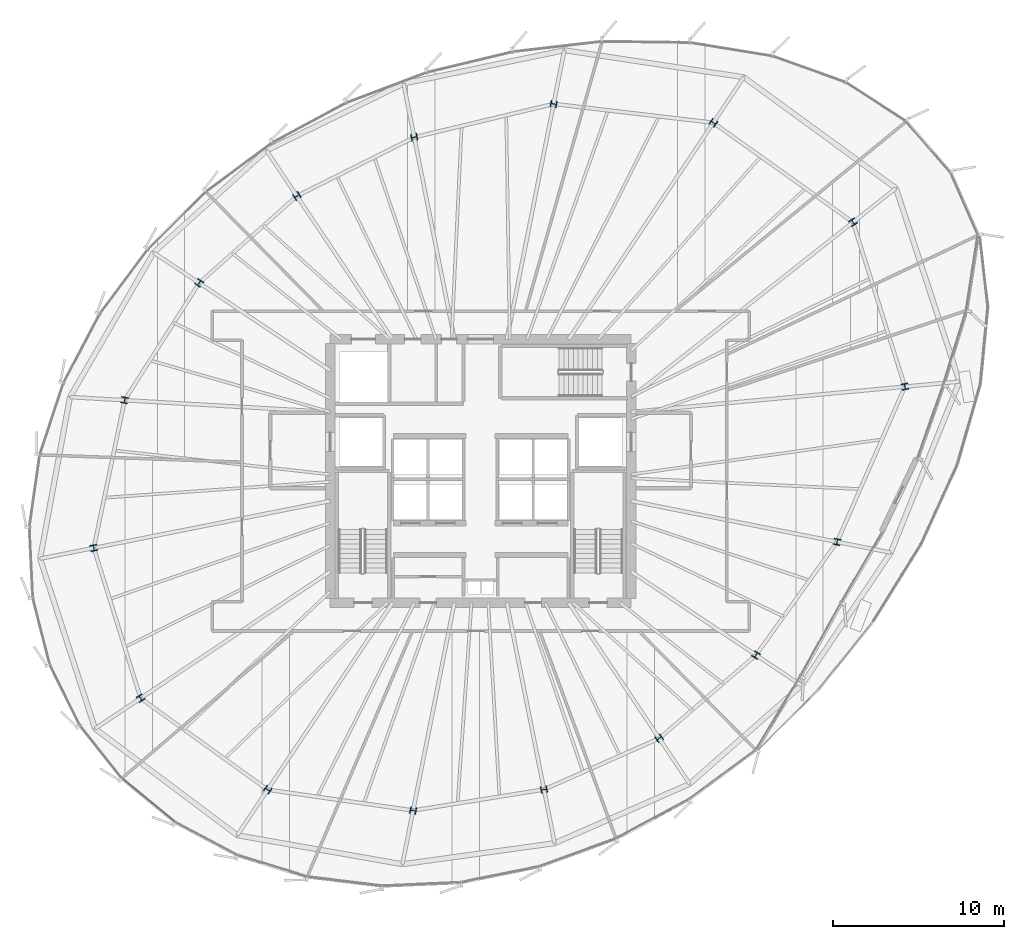
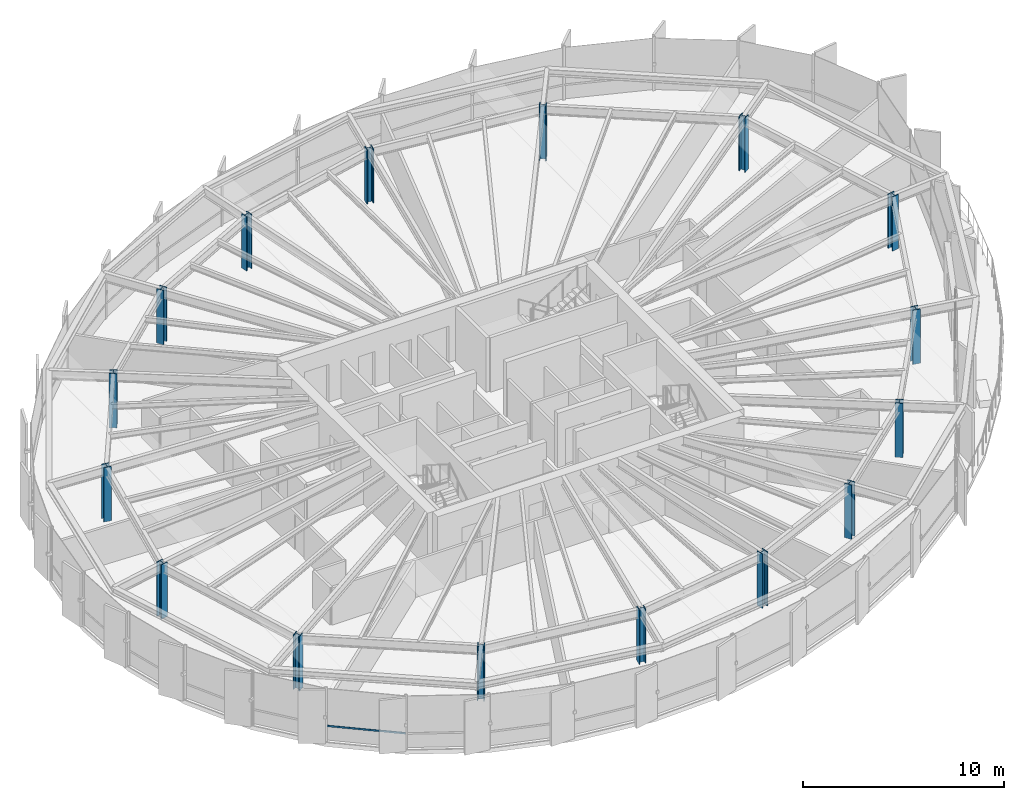
# One storey, part 1 of 36: 16 columns, 1 member, 1 element without a shape of its own.
"""IFC4 building model written with IfcOpenShell, lengths in metres."""

from ifc_helpers import new_model, si_unit, direction, frame, origin, origin_2d, place, context, subcontext, project, spatial, hollow_rectangle, i_section, extrude, source, transform, mapped, material, layer, layer_set, material_profile, profile_set, type_object, element, aggregate, save


model = new_model("IFC4")

# Units and contexts
model_context = context("Model", 3, precision=1e-05, world=origin(), true_north=direction((0.0, 1.0)))
body_context = subcontext(model_context, "Body", "Model", "MODEL_VIEW")
ifc_project = project(units=[si_unit("LENGTHUNIT", "METRE"), si_unit("AREAUNIT", "SQUARE_METRE"), si_unit("VOLUMEUNIT", "CUBIC_METRE"), si_unit("PLANEANGLEUNIT", "RADIAN"), si_unit("MASSUNIT", "GRAM", prefix="KILO"), si_unit("THERMODYNAMICTEMPERATUREUNIT", "KELVIN")], contexts=[model_context])

# Site, building, storey
site_placement = place(None, origin())
site = spatial("IfcSite", under=ifc_project, at=site_placement, CompositionType="ELEMENT")
building_placement = place(site_placement, origin())
building = spatial("IfcBuilding", under=site, at=building_placement, Name="Kethvar Cultural Tower", CompositionType="ELEMENT")
storey_placement = place(building_placement, frame((0.0, 0.0, 164.300048828125)))
storey = spatial("IfcBuildingStorey", under=building, at=storey_placement, Name="L42", CompositionType="ELEMENT", Elevation=164.300048828125)

# Columns
ifc_material_1 = material(Name="Steel S460M", Category="steel")
ifc_material_profile_1 = material_profile(ifc_material_1, i_section(OverallWidth=0.39697265625, OverallDepth=0.364990234375, WebThickness=0.028076171875, FlangeThickness=0.0439453125, FilletRadius=0.014892578125, at=origin_2d()), Name="Steel S460M — HD400x592")
ifc_profile_set_1 = profile_set([ifc_material_profile_1], Name="Steel S460M — HD400x592")
column_type = type_object("IfcColumnType", Name="COL-HD592", PredefinedType="COLUMN", material=ifc_profile_set_1)
shared_shape_1 = source(origin(), body_context, "Body", "SweptSolid", [
    extrude(i_section(OverallWidth=0.39697265625, OverallDepth=0.364990234375, WebThickness=0.028076171875, FlangeThickness=0.0439453125, FilletRadius=0.014892578125, at=origin_2d()), origin(), (0.0, 0.0, 1.0), 3.300048828125),
])
for number, where, z_axis, x_axis, name in (
    (1, (71.6025390625, 32.7333984375, 0.0), (0.0, 0.0, 1.0), (0.980785280403, 0.195090322016, 0.0), "L42 Mega-Column MC-01"),
    (2, (68.568603515625, 42.34521484375, 0.0), (0.0, 0.0, 1.0), (0.831469612303, 0.55557023302, 0.0), "L42 Mega-Column MC-02"),
    (3, (60.40478515625, 48.160888671875, 0.0), (0.0, 0.0, 1.0), (0.55557023302, 0.831469612303, 0.0), "L42 Mega-Column MC-03"),
    (4, (51.068603515625, 49.25927734375, 0.0), (0.0, 0.0, 1.0), (0.195090322016, 0.980785280403, 0.0), "L42 Mega-Column MC-04"),
    (5, (42.9189453125, 47.311279296875, 0.0), (0.0, 0.0, 1.0), (-0.195090322016, 0.980785280403, 0.0), "L42 Mega-Column MC-05"),
    (6, (36.0576171875, 43.877197265625, 0.0), (0.0, 0.0, 1.0), (-0.55557023302, 0.831469612303, 0.0), "L42 Mega-Column MC-06"),
    (7, (30.345947265625, 38.794189453125, 0.0), (0.0, 0.0, 1.0), (-0.831469612303, 0.55557023302, 0.0), "L42 Mega-Column MC-07"),
    (8, (25.988525390625, 31.939697265625, 0.0), (0.0, 0.0, 1.0), (-0.980785280403, 0.195090322016, 0.0), "L42 Mega-Column MC-08"),
    (9, (24.185302734375, 23.3017578125, 0.0), (0.0, 0.0, 1.0), (-0.980785280403, -0.195090322016, 0.0), "L42 Mega-Column MC-09"),
    (10, (26.920654296875, 14.51708984375, 0.0), (0.0, 0.0, 1.0), (-0.831469612303, -0.55557023302, 0.0), "L42 Mega-Column MC-10"),
    (11, (34.350830078125, 9.16845703125, 0.0), (0.0, 0.0, 1.0), (-0.55557023302, -0.831469612303, 0.0), "L42 Mega-Column MC-11"),
    (12, (42.852294921875, 7.95361328125, 0.0), (0.0, 0.0, 1.0), (-0.195090322016, -0.980785280403, 0.0), "L42 Mega-Column MC-12"),
    (13, (50.50341796875, 9.182373046875, 0.0), (0.0, 0.0, 1.0), (0.195090322016, -0.980785280403, 0.0), "L42 Mega-Column MC-13"),
    (14, (57.241943359375, 12.17236328125, 0.0), (0.0, 0.0, 1.0), (0.55557023302, -0.831469612303, 0.0), "L42 Mega-Column MC-14"),
    (15, (62.898681640625, 17.043212890625, 0.0), (0.0, 0.0, 1.0), (0.831469612303, -0.55557023302, 0.0), "L42 Mega-Column MC-15"),
    (16, (67.638671875, 23.65478515625, 0.0), (0.0, 0.0, 1.0), (0.980785280403, -0.195090322016, 0.0), "L42 Mega-Column MC-16"),
):
    element("IfcColumn", number, at=place(storey_placement, frame(where, z_axis=z_axis, x_axis=x_axis)), inside=storey, type_object=column_type, Name=name, PredefinedType="COLUMN", context=body_context, shape_type="MappedRepresentation", body=[
        mapped(shared_shape_1, transform((0.0, 0.0, 0.0), scale=1.0)),
    ])

# Curtain wall, member
ifc_material_2 = material(Name="Aluminium 6063-T6", Category="aluminium")
ifc_layer = layer(ifc_material_2, 0.179931640625, Name="Aluminium 6063-T6", Category="aluminium")
ifc_layer_set = layer_set([ifc_layer], Name="Aluminium 6063-T6 (180 mm)")
curtain_wall_type = type_object("IfcCurtainWallType", Name="CW-SYS-04-Z34", PredefinedType="NOTDEFINED", material=ifc_layer_set)
curtain_wall_placement = place(storey_placement, origin())
curtain_wall = element("IfcCurtainWall", 17, at=curtain_wall_placement, inside=storey, type_object=curtain_wall_type, Name="L42 Curtain Wall Run 04", PredefinedType="NOTDEFINED")
ifc_material_profile_2 = material_profile(ifc_material_2, hollow_rectangle(XDim=0.050048828125, YDim=0.10009765625, WallThickness=0.00390625, at=origin_2d()), Name="Aluminium 6063-T6 — RHS100x50x4")
ifc_profile_set_2 = profile_set([ifc_material_profile_2], Name="Aluminium 6063-T6 — RHS100x50x4")
member_type = type_object("IfcMemberType", Name="CW-SYS-04-Z34-TRN", PredefinedType="USERDEFINED", material=ifc_profile_set_2)
shared_shape_2 = source(origin(), body_context, "Body", "SweptSolid", [
    extrude(hollow_rectangle(XDim=0.050048828125, YDim=0.10009765625, WallThickness=0.00390625, at=origin_2d()), origin(), (0.0, 0.0, 1.0), 3.957275390625),
])
member_placement = place(storey_placement, frame((25.8740234375, 9.8173828125, 0.949951171875), z_axis=(0.771623831737, -0.636079132102, 0.0), x_axis=(0.636079132102, 0.771623831737, 0.0)))
member = element("IfcMember", 18, at=member_placement, type_object=member_type, Name="CW-L42-R04 Transom 2", ObjectType="TRANSOM", PredefinedType="USERDEFINED", context=body_context, shape_type="MappedRepresentation", body=[
    mapped(shared_shape_2, transform((0.0, 0.0, 0.0), scale=1.0)),
])
aggregate(curtain_wall, [member])

save(model, "model.ifc")
